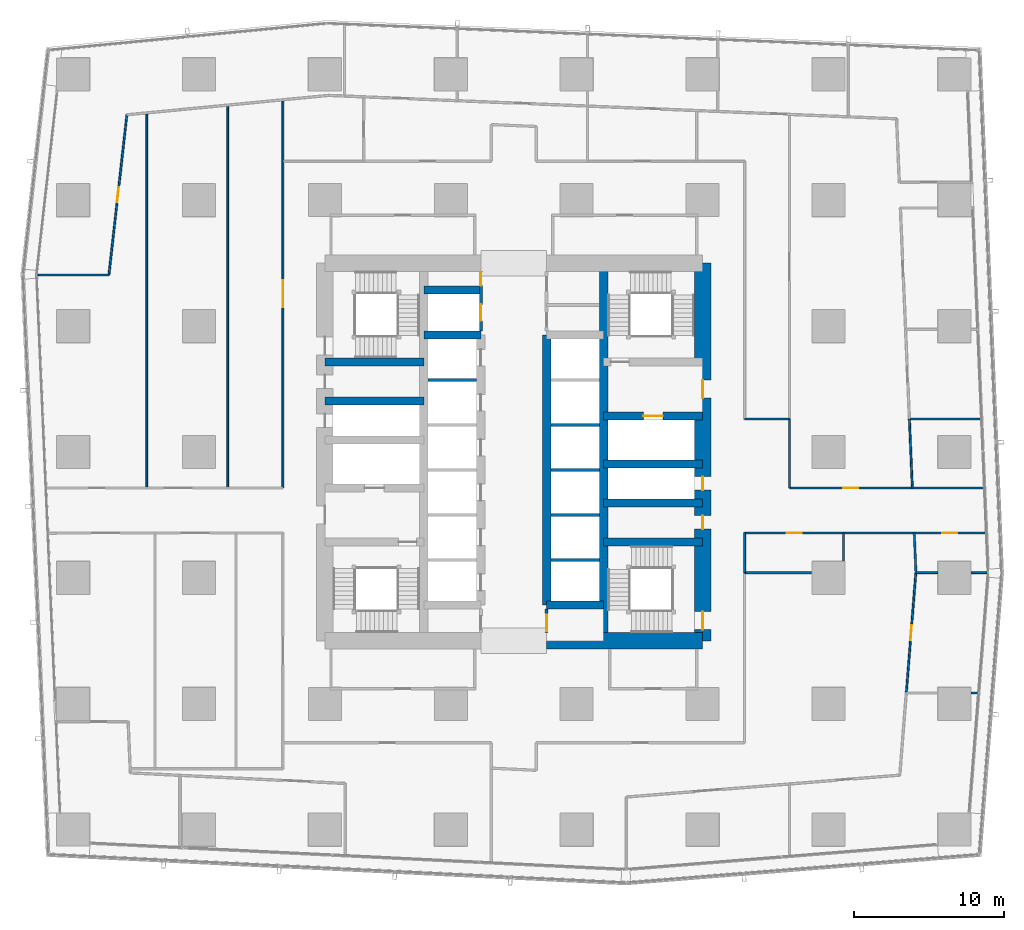
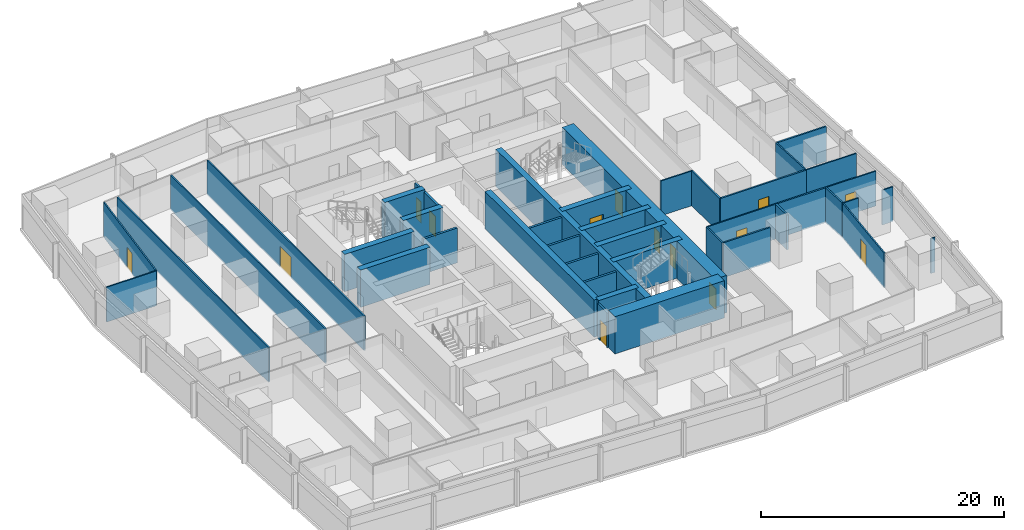
# One storey, part 33 of 44: 42 walls, 14 doors, 14 openings.
"""IFC4 building model written with IfcOpenShell, lengths in metres."""

from ifc_helpers import new_model, si_unit, direction, frame, frame_2d, origin, place, context, subcontext, project, spatial, rectangle, extrude, material, layer, layer_set, type_object, element, fill, save


model = new_model("IFC4")

# Units and contexts
model_context = context("Model", 3, precision=1e-05, world=origin(), true_north=direction((0.0, 1.0)))
body_context = subcontext(model_context, "Body", "Model", "MODEL_VIEW")
ifc_project = project(units=[si_unit("LENGTHUNIT", "METRE"), si_unit("AREAUNIT", "SQUARE_METRE"), si_unit("VOLUMEUNIT", "CUBIC_METRE"), si_unit("PLANEANGLEUNIT", "RADIAN"), si_unit("MASSUNIT", "GRAM", prefix="KILO")], contexts=[model_context])

# Site, building, storey
site_placement = place(None, origin())
site = spatial("IfcSite", under=ifc_project, at=site_placement, CompositionType="ELEMENT")
building_placement = place(site_placement, origin())
building = spatial("IfcBuilding", under=site, at=building_placement, Name="Rekha Terrace Tower", CompositionType="ELEMENT")
storey_placement = place(building_placement, frame((0.0, 0.0, 51.64990234375)))
storey = spatial("IfcBuildingStorey", under=building, at=storey_placement, Name="L12", CompositionType="ELEMENT", Elevation=51.64990234375)

# Walls
ifc_material_1 = material(Name="Concrete M70", Category="concrete")
ifc_layer_1 = layer(ifc_material_1, 0.550048828125)
ifc_layer_set_1 = layer_set([ifc_layer_1], Name="Concrete M70")
wall_type_1 = type_object("IfcWallType", Name="CI1 550 core internal shear wall", PredefinedType="SHEAR", material=ifc_layer_set_1)
wall_1_placement = place(storey_placement, frame((43.800048828125, 21.0, 0.0), z_axis=(0.0, 0.0, 1.0), x_axis=(0.0, 1.0, 0.0)))
element("IfcWall", 1, at=wall_1_placement, inside=storey, type_object=wall_type_1, Name="Core wall X438 L12", PredefinedType="SHEAR", context=body_context, shape_type="SweptSolid", body=[
    extrude(rectangle(XDim=25.199951171875, YDim=0.550048828125, at=frame_2d((12.60009765625, 0.0))), origin(), (0.0, 0.0, 1.0), 3.75),
])
wall_2_placement = place(storey_placement, frame((40.0, 23.39990234375, 0.0), z_axis=(0.0, 0.0, 1.0), x_axis=(0.0, 1.0, 0.0)))
element("IfcWall", 2, at=wall_2_placement, inside=storey, type_object=wall_type_1, Name="Core wall X400 L12", PredefinedType="SHEAR", context=body_context, shape_type="SweptSolid", body=[
    extrude(rectangle(XDim=18.0, YDim=0.550048828125, at=frame_2d((9.0, 0.0))), origin(), (0.0, 0.0, 1.0), 3.75),
])
for number, where, z_axis, x_axis, name in (
    (3, (31.800048828125, 41.39990234375, 0.0), (0.0, 0.0, 1.0), (1.0, 0.0, 0.0), "Core wall Y414W L12"),
    (4, (31.800048828125, 44.39990234375, 0.0), (0.0, 0.0, 1.0), (1.0, 0.0, 0.0), "Core wall Y444W L12"),
    (5, (40.0, 23.39990234375, 0.0), (0.0, 0.0, 1.0), (1.0, 0.0, 0.0), "Core wall Y234E L12"),
):
    element("IfcWall", number, at=place(storey_placement, frame(where, z_axis=z_axis, x_axis=x_axis)), inside=storey, type_object=wall_type_1, Name=name, PredefinedType="SHEAR", context=body_context, shape_type="SweptSolid", body=[
        extrude(rectangle(XDim=3.800048828125, YDim=0.550048828125, at=frame_2d((1.89990234375, 0.0))), origin(), (0.0, 0.0, 1.0), 3.75),
    ])
for number, where, z_axis, x_axis, name in (
    (6, (25.199951171875, 37.0, 0.0), (0.0, 0.0, 1.0), (1.0, 0.0, 0.0), "Core wall Y370W L12"),
    (7, (25.199951171875, 39.60009765625, 0.0), (0.0, 0.0, 1.0), (1.0, 0.0, 0.0), "Core wall Y396W L12"),
):
    element("IfcWall", number, at=place(storey_placement, frame(where, z_axis=z_axis, x_axis=x_axis)), inside=storey, type_object=wall_type_1, Name=name, PredefinedType="SHEAR", context=body_context, shape_type="SweptSolid", body=[
        extrude(rectangle(XDim=6.60009765625, YDim=0.550048828125, at=frame_2d((3.300048828125, 0.0))), origin(), (0.0, 0.0, 1.0), 3.75),
    ])
for number, where, z_axis, x_axis, name in (
    (8, (43.800048828125, 27.60009765625, 0.0), (0.0, 0.0, 1.0), (1.0, 0.0, 0.0), "Core wall Y276E L12"),
    (9, (43.800048828125, 30.199951171875, 0.0), (0.0, 0.0, 1.0), (1.0, 0.0, 0.0), "Core wall Y302E L12"),
    (10, (43.800048828125, 32.800048828125, 0.0), (0.0, 0.0, 1.0), (1.0, 0.0, 0.0), "Core wall Y328E L12"),
):
    element("IfcWall", number, at=place(storey_placement, frame(where, z_axis=z_axis, x_axis=x_axis)), inside=storey, type_object=wall_type_1, Name=name, PredefinedType="SHEAR", context=body_context, shape_type="SweptSolid", body=[
        extrude(rectangle(XDim=6.599853515625, YDim=0.550048828125, at=frame_2d((3.2998046875, 0.0))), origin(), (0.0, 0.0, 1.0), 3.75),
    ])

# Wall, opening, door
wall_3_placement = place(storey_placement, frame((43.800048828125, 36.0, 0.0), z_axis=(0.0, 0.0, 1.0), x_axis=(1.0, 0.0, 0.0)))
wall_3 = element("IfcWall", 11, at=wall_3_placement, inside=storey, type_object=wall_type_1, Name="Core wall Y360E L12", PredefinedType="SHEAR", context=body_context, shape_type="SweptSolid", body=[
    extrude(rectangle(XDim=6.599853515625, YDim=0.550048828125, at=frame_2d((3.2998046875, 0.0))), origin(), (0.0, 0.0, 1.0), 3.75),
])
opening_1_placement = place(wall_3_placement, frame((2.64990234375, 0.0, 0.0)))
opening_1 = element("IfcOpeningElement", 12, at=opening_1_placement, cuts=wall_3, Name="Opening LD2", PredefinedType="OPENING", context=body_context, shape_type="SweptSolid", body=[
    extrude(rectangle(XDim=1.300048828125, YDim=2.10009765625, at=frame_2d((0.64990234375, 1.050048828125))), frame((0.0, 0.284912109375, 0.0), z_axis=(0.0, -1.0, 0.0), x_axis=(1.0, 0.0, 0.0)), (0.0, 0.0, 1.0), 0.570068359375),
])
ifc_material_2 = material(Name="Stainless steel sliding landing door", Category="steel")
door_type_1 = type_object("IfcDoorType", Name="LD2 1300x2100 fire lift landing door", OperationType="SLIDING_TO_LEFT", PredefinedType="USERDEFINED", material=ifc_material_2)
door_1_placement = place(opening_1_placement, origin())
door_1 = element("IfcDoor", 13, at=door_1_placement, inside=storey, type_object=door_type_1, Name="Lift FL2 landing door L12", ObjectType="LIFT LANDING DOOR", OperationType="SLIDING_TO_LEFT", OverallHeight=2.10009765625, OverallWidth=1.300048828125, PredefinedType="USERDEFINED", context=body_context, shape_type="SweptSolid", body=[
    extrude(rectangle(XDim=1.300048828125, YDim=2.10009765625, at=frame_2d((0.64990234375, 1.050048828125))), frame((0.0, 0.02490234375, 0.0), z_axis=(0.0, -1.0, 0.0), x_axis=(1.0, 0.0, 0.0)), (0.0, 0.0, 1.0), 0.050048828125),
])
fill(opening_1, door_1)

# Wall
ifc_layer_2 = layer(ifc_material_1, 1.10009765625)
ifc_layer_set_2 = layer_set([ifc_layer_2], Name="Concrete M70")
wall_type_2 = type_object("IfcWallType", Name="SW1 1100 core outer shear wall", PredefinedType="SHEAR", material=ifc_layer_set_2)
wall_4_placement = place(storey_placement, frame((40.0, 21.0, 0.0), z_axis=(0.0, 0.0, 1.0), x_axis=(1.0, 0.0, 0.0)))
element("IfcWall", 14, at=wall_4_placement, inside=storey, type_object=wall_type_2, Name="Core wall S2 L12", PredefinedType="SHEAR", context=body_context, shape_type="SweptSolid", body=[
    extrude(rectangle(XDim=10.39990234375, YDim=1.10009765625, at=frame_2d((5.199951171875, 0.0))), origin(), (0.0, 0.0, 1.0), 3.75),
])

# Wall, openings, doors
wall_5_placement = place(storey_placement, frame((50.39990234375, 21.0, 0.0), z_axis=(0.0, 0.0, 1.0), x_axis=(0.0, 1.0, 0.0)))
wall_5 = element("IfcWall", 15, at=wall_5_placement, inside=storey, type_object=wall_type_2, Name="Core wall E L12", PredefinedType="SHEAR", context=body_context, shape_type="SweptSolid", body=[
    extrude(rectangle(XDim=25.199951171875, YDim=1.10009765625, at=frame_2d((12.60009765625, 0.0))), origin(), (0.0, 0.0, 1.0), 3.75),
])
opening_2_placement = place(wall_5_placement, frame((16.199951171875, 0.0, 0.0)))
opening_2 = element("IfcOpeningElement", 16, at=opening_2_placement, cuts=wall_5, Name="Opening D2", PredefinedType="OPENING", context=body_context, shape_type="SweptSolid", body=[
    extrude(rectangle(XDim=1.199951171875, YDim=2.10009765625, at=frame_2d((0.60009765625, 1.050048828125))), frame((0.0, 0.56005859375, 0.0), z_axis=(0.0, -1.0, 0.0), x_axis=(1.0, 0.0, 0.0)), (0.0, 0.0, 1.0), 1.1201171875),
])
opening_3_placement = place(wall_5_placement, frame((10.050048828125, 0.0, 0.0)))
opening_3 = element("IfcOpeningElement", 17, at=opening_3_placement, cuts=wall_5, Name="Opening D5", PredefinedType="OPENING", context=body_context, shape_type="SweptSolid", body=[
    extrude(rectangle(XDim=0.89990234375, YDim=2.10009765625, at=frame_2d((0.449951171875, 1.050048828125))), frame((0.0, 0.56005859375, 0.0), z_axis=(0.0, -1.0, 0.0), x_axis=(1.0, 0.0, 0.0)), (0.0, 0.0, 1.0), 1.1201171875),
])
opening_4_placement = place(wall_5_placement, frame((7.449951171875, 0.0, 0.0)))
opening_4 = element("IfcOpeningElement", 18, at=opening_4_placement, cuts=wall_5, Name="Opening D5", PredefinedType="OPENING", context=body_context, shape_type="SweptSolid", body=[
    extrude(rectangle(XDim=0.89990234375, YDim=2.10009765625, at=frame_2d((0.449951171875, 1.050048828125))), frame((0.0, 0.56005859375, 0.0), z_axis=(0.0, -1.0, 0.0), x_axis=(1.0, 0.0, 0.0)), (0.0, 0.0, 1.0), 1.1201171875),
])
opening_5_placement = place(wall_5_placement, frame((0.75, 0.0, 0.0)))
opening_5 = element("IfcOpeningElement", 19, at=opening_5_placement, cuts=wall_5, Name="Opening D1", PredefinedType="OPENING", context=body_context, shape_type="SweptSolid", body=[
    extrude(rectangle(XDim=1.199951171875, YDim=2.10009765625, at=frame_2d((0.60009765625, 1.050048828125))), frame((0.0, 0.56005859375, 0.0), z_axis=(0.0, -1.0, 0.0), x_axis=(1.0, 0.0, 0.0)), (0.0, 0.0, 1.0), 1.1201171875),
])
ifc_material_3 = material(Name="Steel fire door", Category="steel")
door_type_2 = type_object("IfcDoorType", Name="D1 1200x2100 stair fire door", OperationType="SINGLE_SWING_RIGHT", PredefinedType="DOOR", material=ifc_material_3)
door_2_placement = place(opening_5_placement, origin())
door_2 = element("IfcDoor", 20, at=door_2_placement, inside=storey, type_object=door_type_2, Name="Stair ST3 door L12", OperationType="SINGLE_SWING_RIGHT", OverallHeight=2.10009765625, OverallWidth=1.199951171875, PredefinedType="DOOR", context=body_context, shape_type="SweptSolid", body=[
    extrude(rectangle(XDim=1.199951171875, YDim=2.10009765625, at=frame_2d((0.60009765625, 1.050048828125))), frame((0.0, 0.02490234375, 0.0), z_axis=(0.0, -1.0, 0.0), x_axis=(1.0, 0.0, 0.0)), (0.0, 0.0, 1.0), 0.050048828125),
])
fill(opening_5, door_2)
door_type_3 = type_object("IfcDoorType", Name="D2 1200x2100 firefighting lobby door", OperationType="SINGLE_SWING_LEFT", PredefinedType="DOOR", material=ifc_material_3)
door_3_placement = place(opening_2_placement, origin())
door_3 = element("IfcDoor", 21, at=door_3_placement, inside=storey, type_object=door_type_3, Name="Door flb2 L12", OperationType="SINGLE_SWING_LEFT", OverallHeight=2.10009765625, OverallWidth=1.199951171875, PredefinedType="DOOR", context=body_context, shape_type="SweptSolid", body=[
    extrude(rectangle(XDim=1.199951171875, YDim=2.10009765625, at=frame_2d((0.60009765625, 1.050048828125))), frame((0.0, 0.02490234375, 0.0), z_axis=(0.0, -1.0, 0.0), x_axis=(1.0, 0.0, 0.0)), (0.0, 0.0, 1.0), 0.050048828125),
])
fill(opening_2, door_3)
door_type_4 = type_object("IfcDoorType", Name="D5 900x2100 riser access door", OperationType="SINGLE_SWING_LEFT", PredefinedType="DOOR", material=ifc_material_3)
door_4_placement = place(opening_3_placement, origin())
door_4 = element("IfcDoor", 22, at=door_4_placement, inside=storey, type_object=door_type_4, Name="Door rs2 L12", OperationType="SINGLE_SWING_LEFT", OverallHeight=2.10009765625, OverallWidth=0.89990234375, PredefinedType="DOOR", context=body_context, shape_type="SweptSolid", body=[
    extrude(rectangle(XDim=0.89990234375, YDim=2.10009765625, at=frame_2d((0.449951171875, 1.050048828125))), frame((0.0, 0.02490234375, 0.0), z_axis=(0.0, -1.0, 0.0), x_axis=(1.0, 0.0, 0.0)), (0.0, 0.0, 1.0), 0.050048828125),
])
fill(opening_3, door_4)
door_5_placement = place(opening_4_placement, origin())
door_5 = element("IfcDoor", 23, at=door_5_placement, inside=storey, type_object=door_type_4, Name="Door ele L12", OperationType="SINGLE_SWING_LEFT", OverallHeight=2.10009765625, OverallWidth=0.89990234375, PredefinedType="DOOR", context=body_context, shape_type="SweptSolid", body=[
    extrude(rectangle(XDim=0.89990234375, YDim=2.10009765625, at=frame_2d((0.449951171875, 1.050048828125))), frame((0.0, 0.02490234375, 0.0), z_axis=(0.0, -1.0, 0.0), x_axis=(1.0, 0.0, 0.0)), (0.0, 0.0, 1.0), 0.050048828125),
])
fill(opening_4, door_5)

# Walls
ifc_material_4 = material(Name="Concrete block masonry, 1 hour", Category="masonry")
ifc_layer_3 = layer(ifc_material_4, 0.14990234375)
ifc_layer_set_3 = layer_set([ifc_layer_3], Name="Concrete block masonry, 1 hour")
wall_type_3 = type_object("IfcWallType", Name="WP2 150 tenancy partition", PredefinedType="PARTITIONING", material=ifc_layer_set_3)
wall_6_placement = place(storey_placement, frame((53.199951171875, 25.552001953125, 0.0), z_axis=(0.0, 0.0, 1.0), x_axis=(1.0, 0.0, 0.0)))
element("IfcWall", 24, at=wall_6_placement, inside=storey, type_object=wall_type_3, Name="Partition L12-O1", PredefinedType="PARTITIONING", context=body_context, shape_type="SweptSolid", body=[
    extrude(rectangle(XDim=4.47998046875, YDim=0.14990234375, at=frame_2d((2.239990234375, 0.0))), origin(), (0.0, 0.0, 1.0), 3.5),
])
wall_7_placement = place(storey_placement, frame((59.800048828125, 26.320068359375, 0.0), z_axis=(0.0, 0.0, 1.0), x_axis=(0.0, 1.0, 0.0)))
element("IfcWall", 25, at=wall_7_placement, inside=storey, type_object=wall_type_3, Name="Partition L12-O1", PredefinedType="PARTITIONING", context=body_context, shape_type="SweptSolid", body=[
    extrude(rectangle(XDim=1.8798828125, YDim=0.14990234375, at=frame_2d((0.93994140625, 0.0))), origin(), (0.0, 0.0, 1.0), 3.5),
])
wall_8_placement = place(storey_placement, frame((59.800048828125, 28.199951171875, 0.0), z_axis=(0.0, 0.0, 1.0), x_axis=(1.0, 0.0, 0.0)))
element("IfcWall", 26, at=wall_8_placement, inside=storey, type_object=wall_type_3, Name="Partition L12-O1", PredefinedType="PARTITIONING", context=body_context, shape_type="SweptSolid", body=[
    extrude(rectangle(XDim=4.718994140625, YDim=0.14990234375, at=frame_2d((2.359375, 0.0))), origin(), (0.0, 0.0, 1.0), 3.5),
])
wall_9_placement = place(storey_placement, frame((64.51904296875, 28.199951171875, 0.0), z_axis=(0.0, 0.0, 1.0), x_axis=(0.042430609407, -0.999099416167, 0.0)))
element("IfcWall", 27, at=wall_9_placement, inside=storey, type_object=wall_type_3, Name="Partition L12-O1", PredefinedType="PARTITIONING", context=body_context, shape_type="SweptSolid", body=[
    extrude(rectangle(XDim=2.58935546875, YDim=0.14990234375, at=frame_2d((1.294677734375, 0.0))), origin(), (0.0, 0.0, 1.0), 3.5),
])
wall_10_placement = place(storey_placement, frame((64.257080078125, 35.799072265625, 0.0), z_axis=(0.0, 0.0, 1.0), x_axis=(1.0, 0.0, 0.0)))
element("IfcWall", 28, at=wall_10_placement, inside=storey, type_object=wall_type_3, Name="Partition L12-O3", PredefinedType="PARTITIONING", context=body_context, shape_type="SweptSolid", body=[
    extrude(rectangle(XDim=4.661865234375, YDim=0.14990234375, at=frame_2d((2.3310546875, 0.0))), origin(), (0.0, 0.0, 1.0), 3.5),
])

# Wall, opening, door
wall_11_placement = place(storey_placement, frame((64.39111328125, 31.199951171875, 0.0), z_axis=(0.0, 0.0, 1.0), x_axis=(-1.0, 0.0, 0.0)))
wall_11 = element("IfcWall", 29, at=wall_11_placement, inside=storey, type_object=wall_type_3, Name="Partition L12-O3", PredefinedType="PARTITIONING", context=body_context, shape_type="SweptSolid", body=[
    extrude(rectangle(XDim=8.191162109375, YDim=0.14990234375, at=frame_2d((4.095703125, 0.0))), origin(), (0.0, 0.0, 1.0), 3.5),
])
opening_6_placement = place(wall_11_placement, frame((3.595947265625, 0.0, 0.0)))
opening_6 = element("IfcOpeningElement", 30, at=opening_6_placement, cuts=wall_11, Name="Opening D9", PredefinedType="OPENING", context=body_context, shape_type="SweptSolid", body=[
    extrude(rectangle(XDim=1.0, YDim=2.10009765625, at=frame_2d((0.5, 1.050048828125))), frame((0.0, 0.0849609375, 0.0), z_axis=(0.0, -1.0, 0.0), x_axis=(1.0, 0.0, 0.0)), (0.0, 0.0, 1.0), 0.169921875),
])
ifc_material_5 = material(Name="Timber fire door", Category="wood")
door_type_5 = type_object("IfcDoorType", Name="D9 1000x2100 office door", OperationType="SINGLE_SWING_LEFT", PredefinedType="DOOR", material=ifc_material_5)
door_6_placement = place(opening_6_placement, origin())
door_6 = element("IfcDoor", 31, at=door_6_placement, inside=storey, type_object=door_type_5, Name="Door open-plan office L12", OperationType="SINGLE_SWING_LEFT", OverallHeight=2.10009765625, OverallWidth=1.0, PredefinedType="DOOR", context=body_context, shape_type="SweptSolid", body=[
    extrude(rectangle(XDim=1.0, YDim=2.10009765625, at=frame_2d((0.5, 1.050048828125))), frame((0.0, 0.02490234375, 0.0), z_axis=(0.0, -1.0, 0.0), x_axis=(1.0, 0.0, 0.0)), (0.0, 0.0, 1.0), 0.050048828125),
])
fill(opening_6, door_6)

# Walls
wall_12_placement = place(storey_placement, frame((56.199951171875, 31.199951171875, 0.0), z_axis=(0.0, 0.0, 1.0), x_axis=(0.0, 1.0, 0.0)))
element("IfcWall", 32, at=wall_12_placement, inside=storey, type_object=wall_type_3, Name="Partition L12-O3", PredefinedType="PARTITIONING", context=body_context, shape_type="SweptSolid", body=[
    extrude(rectangle(XDim=4.60009765625, YDim=0.14990234375, at=frame_2d((2.300048828125, 0.0))), origin(), (0.0, 0.0, 1.0), 3.5),
])
ifc_material_6 = material(Name="Two layers of fire-rated gypsum board each side on steel studs, acoustic quilt, 1 hour", Category="steel")
ifc_layer_4 = layer(ifc_material_6, 0.125)
ifc_layer_set_4 = layer_set([ifc_layer_4], Name="Two layers of fire-rated gypsum board each side on steel studs, acoustic quilt, 1 hour")
wall_type_4 = type_object("IfcWallType", Name="WP3 125 office partition", PredefinedType="PARTITIONING", material=ifc_layer_set_4)
wall_13_placement = place(storey_placement, frame((68.320068359375, 17.52294921875, 0.0), z_axis=(0.0, 0.0, 1.0), x_axis=(1.0, 0.0, 0.0)))
element("IfcWall", 33, at=wall_13_placement, inside=storey, type_object=wall_type_4, Name="Partition L12-03", PredefinedType="PARTITIONING", context=body_context, shape_type="SweptSolid", body=[
    extrude(rectangle(XDim=0.40283203125, YDim=0.125, at=frame_2d((0.201416015625, 0.0))), origin(), (0.0, 0.0, 1.0), 3.5),
])

# Wall, opening, door
wall_14_placement = place(storey_placement, frame((63.993896484375, 17.5849609375, 0.0), z_axis=(0.0, 0.0, 1.0), x_axis=(0.07897654499, 0.996876474465, 0.0)))
wall_14 = element("IfcWall", 34, at=wall_14_placement, inside=storey, type_object=wall_type_4, Name="Partition L12-04", PredefinedType="PARTITIONING", context=body_context, shape_type="SweptSolid", body=[
    extrude(rectangle(XDim=7.990966796875, YDim=0.125, at=frame_2d((3.99560546875, 0.0))), origin(), (0.0, 0.0, 1.0), 3.5),
])
opening_7_placement = place(wall_14_placement, frame((3.462890625, 0.0, 0.0)))
opening_7 = element("IfcOpeningElement", 35, at=opening_7_placement, cuts=wall_14, Name="Opening D9", PredefinedType="OPENING", context=body_context, shape_type="SweptSolid", body=[
    extrude(rectangle(XDim=1.0, YDim=2.10009765625, at=frame_2d((0.5, 1.050048828125))), frame((0.0, 0.072509765625, 0.0), z_axis=(0.0, -1.0, 0.0), x_axis=(1.0, 0.0, 0.0)), (0.0, 0.0, 1.0), 0.14501953125),
])
door_7_placement = place(opening_7_placement, origin())
door_7 = element("IfcDoor", 36, at=door_7_placement, inside=storey, type_object=door_type_5, Name="Door office L12", OperationType="SINGLE_SWING_LEFT", OverallHeight=2.10009765625, OverallWidth=1.0, PredefinedType="DOOR", context=body_context, shape_type="SweptSolid", body=[
    extrude(rectangle(XDim=1.0, YDim=2.10009765625, at=frame_2d((0.5, 1.050048828125))), frame((0.0, 0.02490234375, 0.0), z_axis=(0.0, -1.0, 0.0), x_axis=(1.0, 0.0, 0.0)), (0.0, 0.0, 1.0), 0.050048828125),
])
fill(opening_7, door_7)

# Walls
wall_15_placement = place(storey_placement, frame((64.625, 25.551025390625, 0.0), z_axis=(0.0, 0.0, 1.0), x_axis=(1.0, 0.0, 0.0)))
element("IfcWall", 37, at=wall_15_placement, inside=storey, type_object=wall_type_4, Name="Partition L12-04", PredefinedType="PARTITIONING", context=body_context, shape_type="SweptSolid", body=[
    extrude(rectangle(XDim=1.455078125, YDim=0.125, at=frame_2d((0.7275390625, 0.0))), origin(), (0.0, 0.0, 1.0), 3.5),
])
wall_16_placement = place(storey_placement, frame((68.320068359375, 25.551025390625, 0.0), z_axis=(0.0, 0.0, 1.0), x_axis=(1.0, 0.0, 0.0)))
element("IfcWall", 38, at=wall_16_placement, inside=storey, type_object=wall_type_4, Name="Partition L12-04", PredefinedType="PARTITIONING", context=body_context, shape_type="SweptSolid", body=[
    extrude(rectangle(XDim=1.036865234375, YDim=0.125, at=frame_2d((0.5185546875, 0.0))), origin(), (0.0, 0.0, 1.0), 3.5),
])

# Wall, opening, door
wall_17_placement = place(storey_placement, frame((64.51904296875, 28.199951171875, 0.0), z_axis=(0.0, 0.0, 1.0), x_axis=(1.0, 0.0, 0.0)))
wall_17 = element("IfcWall", 39, at=wall_17_placement, inside=storey, type_object=wall_type_4, Name="Partition L12-05", PredefinedType="PARTITIONING", context=body_context, shape_type="SweptSolid", body=[
    extrude(rectangle(XDim=4.7548828125, YDim=0.125, at=frame_2d((2.37744140625, 0.0))), origin(), (0.0, 0.0, 1.0), 3.5),
])
opening_8_placement = place(wall_17_placement, frame((1.862060546875, 0.0, 0.0)))
opening_8 = element("IfcOpeningElement", 40, at=opening_8_placement, cuts=wall_17, Name="Opening D9", PredefinedType="OPENING", context=body_context, shape_type="SweptSolid", body=[
    extrude(rectangle(XDim=1.0, YDim=2.10009765625, at=frame_2d((0.5, 1.050048828125))), frame((0.0, 0.072509765625, 0.0), z_axis=(0.0, -1.0, 0.0), x_axis=(1.0, 0.0, 0.0)), (0.0, 0.0, 1.0), 0.14501953125),
])
door_8_placement = place(opening_8_placement, origin())
door_8 = element("IfcDoor", 41, at=door_8_placement, inside=storey, type_object=door_type_5, Name="Door office L12", OperationType="SINGLE_SWING_LEFT", OverallHeight=2.10009765625, OverallWidth=1.0, PredefinedType="DOOR", context=body_context, shape_type="SweptSolid", body=[
    extrude(rectangle(XDim=1.0, YDim=2.10009765625, at=frame_2d((0.5, 1.050048828125))), frame((0.0, 0.02490234375, 0.0), z_axis=(0.0, -1.0, 0.0), x_axis=(1.0, 0.0, 0.0)), (0.0, 0.0, 1.0), 0.050048828125),
])
fill(opening_8, door_8)

wall_18_placement = place(storey_placement, frame((53.199951171875, 28.199951171875, 0.0), z_axis=(0.0, 0.0, 1.0), x_axis=(1.0, 0.0, 0.0)))
wall_18 = element("IfcWall", 42, at=wall_18_placement, inside=storey, type_object=wall_type_4, Name="Partition L12-06", PredefinedType="PARTITIONING", context=body_context, shape_type="SweptSolid", body=[
    extrude(rectangle(XDim=6.60009765625, YDim=0.125, at=frame_2d((3.300048828125, 0.0))), origin(), (0.0, 0.0, 1.0), 3.5),
])
opening_9_placement = place(wall_18_placement, frame((2.800048828125, 0.0, 0.0)))
opening_9 = element("IfcOpeningElement", 43, at=opening_9_placement, cuts=wall_18, Name="Opening D9", PredefinedType="OPENING", context=body_context, shape_type="SweptSolid", body=[
    extrude(rectangle(XDim=1.0, YDim=2.10009765625, at=frame_2d((0.5, 1.050048828125))), frame((0.0, 0.072509765625, 0.0), z_axis=(0.0, -1.0, 0.0), x_axis=(1.0, 0.0, 0.0)), (0.0, 0.0, 1.0), 0.14501953125),
])
door_9_placement = place(opening_9_placement, origin())
door_9 = element("IfcDoor", 44, at=door_9_placement, inside=storey, type_object=door_type_5, Name="Door reception L12", OperationType="SINGLE_SWING_LEFT", OverallHeight=2.10009765625, OverallWidth=1.0, PredefinedType="DOOR", context=body_context, shape_type="SweptSolid", body=[
    extrude(rectangle(XDim=1.0, YDim=2.10009765625, at=frame_2d((0.5, 1.050048828125))), frame((0.0, 0.02490234375, 0.0), z_axis=(0.0, -1.0, 0.0), x_axis=(1.0, 0.0, 0.0)), (0.0, 0.0, 1.0), 0.050048828125),
])
fill(opening_9, door_9)

# Walls
wall_19_placement = place(storey_placement, frame((53.199951171875, 25.552001953125, 0.0), z_axis=(0.0, 0.0, 1.0), x_axis=(0.0, 1.0, 0.0)))
element("IfcWall", 45, at=wall_19_placement, inside=storey, type_object=wall_type_4, Name="Partition L12-06", PredefinedType="PARTITIONING", context=body_context, shape_type="SweptSolid", body=[
    extrude(rectangle(XDim=2.64794921875, YDim=0.125, at=frame_2d((1.323974609375, 0.0))), origin(), (0.0, 0.0, 1.0), 3.5),
])
wall_20_placement = place(storey_placement, frame((69.14501953125, 31.199951171875, 0.0), z_axis=(0.0, 0.0, 1.0), x_axis=(-1.0, 0.0, 0.0)))
element("IfcWall", 46, at=wall_20_placement, inside=storey, type_object=wall_type_4, Name="Partition L12-07", PredefinedType="PARTITIONING", context=body_context, shape_type="SweptSolid", body=[
    extrude(rectangle(XDim=4.75390625, YDim=0.125, at=frame_2d((2.376953125, 0.0))), origin(), (0.0, 0.0, 1.0), 3.5),
])
wall_21_placement = place(storey_placement, frame((64.39111328125, 31.199951171875, 0.0), z_axis=(0.0, 0.0, 1.0), x_axis=(-0.042790618726, 0.999084062003, 0.0)))
element("IfcWall", 47, at=wall_21_placement, inside=storey, type_object=wall_type_4, Name="Partition L12-07", PredefinedType="PARTITIONING", context=body_context, shape_type="SweptSolid", body=[
    extrude(rectangle(XDim=4.604248046875, YDim=0.125, at=frame_2d((2.30224609375, 0.0))), origin(), (0.0, 0.0, 1.0), 3.5),
])
wall_22_placement = place(storey_placement, frame((56.199951171875, 35.800048828125, 0.0), z_axis=(0.0, 0.0, 1.0), x_axis=(-1.0, 0.0, 0.0)))
element("IfcWall", 48, at=wall_22_placement, inside=storey, type_object=wall_type_4, Name="Partition L12-13", PredefinedType="PARTITIONING", context=body_context, shape_type="SweptSolid", body=[
    extrude(rectangle(XDim=3.0, YDim=0.125, at=frame_2d((1.5, 0.0))), origin(), (0.0, 0.0, 1.0), 3.5),
])

# Wall, opening, door
wall_23_placement = place(storey_placement, frame((11.989990234375, 56.095947265625, 0.0), z_axis=(0.0, 0.0, 1.0), x_axis=(-0.111612849984, -0.993751765643, 0.0)))
wall_23 = element("IfcWall", 49, at=wall_23_placement, inside=storey, type_object=wall_type_4, Name="Partition L12-17", PredefinedType="PARTITIONING", context=body_context, shape_type="SweptSolid", body=[
    extrude(rectangle(XDim=10.7509765625, YDim=0.125, at=frame_2d((5.37548828125, 0.0))), origin(), (0.0, 0.0, 1.0), 3.5),
])
opening_10_placement = place(wall_23_placement, frame((4.8759765625, 0.0, 0.0)))
opening_10 = element("IfcOpeningElement", 50, at=opening_10_placement, cuts=wall_23, Name="Opening D9", PredefinedType="OPENING", context=body_context, shape_type="SweptSolid", body=[
    extrude(rectangle(XDim=1.0, YDim=2.10009765625, at=frame_2d((0.5, 1.050048828125))), frame((0.0, 0.072509765625, 0.0), z_axis=(0.0, -1.0, 0.0), x_axis=(1.0, 0.0, 0.0)), (0.0, 0.0, 1.0), 0.14501953125),
])
door_10_placement = place(opening_10_placement, origin())
door_10 = element("IfcDoor", 51, at=door_10_placement, inside=storey, type_object=door_type_5, Name="Door director's office L12", OperationType="SINGLE_SWING_LEFT", OverallHeight=2.10009765625, OverallWidth=1.0, PredefinedType="DOOR", context=body_context, shape_type="SweptSolid", body=[
    extrude(rectangle(XDim=1.0, YDim=2.10009765625, at=frame_2d((0.5, 1.050048828125))), frame((0.0, 0.02490234375, 0.0), z_axis=(0.0, -1.0, 0.0), x_axis=(1.0, 0.0, 0.0)), (0.0, 0.0, 1.0), 0.050048828125),
])
fill(opening_10, door_10)

# Walls
wall_24_placement = place(storey_placement, frame((10.7900390625, 45.412109375, 0.0), z_axis=(0.0, 0.0, 1.0), x_axis=(-1.0, 0.0, 0.0)))
element("IfcWall", 52, at=wall_24_placement, inside=storey, type_object=wall_type_4, Name="Partition L12-17", PredefinedType="PARTITIONING", context=body_context, shape_type="SweptSolid", body=[
    extrude(rectangle(XDim=4.74609375, YDim=0.125, at=frame_2d((2.373046875, 0.0))), origin(), (0.0, 0.0, 1.0), 3.5),
])
wall_25_placement = place(storey_placement, frame((18.717041015625, 56.679931640625, 0.0), z_axis=(0.0, 0.0, 1.0), x_axis=(0.0, -1.0, 0.0)))
element("IfcWall", 53, at=wall_25_placement, inside=storey, type_object=wall_type_4, Name="Partition L12-18", PredefinedType="PARTITIONING", context=body_context, shape_type="SweptSolid", body=[
    extrude(rectangle(XDim=25.47998046875, YDim=0.125, at=frame_2d((12.739990234375, 0.0))), origin(), (0.0, 0.0, 1.0), 3.5),
])
wall_26_placement = place(storey_placement, frame((13.31689453125, 31.199951171875, 0.0), z_axis=(0.0, 0.0, 1.0), x_axis=(0.0, 1.0, 0.0)))
element("IfcWall", 54, at=wall_26_placement, inside=storey, type_object=wall_type_4, Name="Partition L12-18", PredefinedType="PARTITIONING", context=body_context, shape_type="SweptSolid", body=[
    extrude(rectangle(XDim=24.9609375, YDim=0.125, at=frame_2d((12.48046875, 0.0))), origin(), (0.0, 0.0, 1.0), 3.5),
])

# Wall, opening, door
wall_27_placement = place(storey_placement, frame((22.39990234375, 57.033935546875, 0.0), z_axis=(0.0, 0.0, 1.0), x_axis=(0.0, -1.0, 0.0)))
wall_27 = element("IfcWall", 55, at=wall_27_placement, inside=storey, type_object=wall_type_4, Name="Partition L12-19", PredefinedType="PARTITIONING", context=body_context, shape_type="SweptSolid", body=[
    extrude(rectangle(XDim=25.833984375, YDim=0.125, at=frame_2d((12.9169921875, 0.0))), origin(), (0.0, 0.0, 1.0), 3.5),
])
opening_11_placement = place(wall_27_placement, frame((11.986083984375, 0.0, 0.0)))
opening_11 = element("IfcOpeningElement", 56, at=opening_11_placement, cuts=wall_27, Name="Opening D8", PredefinedType="OPENING", context=body_context, shape_type="SweptSolid", body=[
    extrude(rectangle(XDim=1.800048828125, YDim=2.10009765625, at=frame_2d((0.89990234375, 1.050048828125))), frame((0.0, 0.072509765625, 0.0), z_axis=(0.0, -1.0, 0.0), x_axis=(1.0, 0.0, 0.0)), (0.0, 0.0, 1.0), 0.14501953125),
])
door_type_6 = type_object("IfcDoorType", Name="D8 1800x2100 double leaf door", OperationType="DOUBLE_DOOR_SINGLE_SWING", PredefinedType="DOOR", material=ifc_material_5)
door_11_placement = place(opening_11_placement, origin())
door_11 = element("IfcDoor", 57, at=door_11_placement, inside=storey, type_object=door_type_6, Name="Door focus room L12", OperationType="DOUBLE_DOOR_SINGLE_SWING", OverallHeight=2.10009765625, OverallWidth=1.800048828125, PredefinedType="DOOR", context=body_context, shape_type="SweptSolid", body=[
    extrude(rectangle(XDim=1.800048828125, YDim=2.10009765625, at=frame_2d((0.89990234375, 1.050048828125))), frame((0.0, 0.02490234375, 0.0), z_axis=(0.0, -1.0, 0.0), x_axis=(1.0, 0.0, 0.0)), (0.0, 0.0, 1.0), 0.050048828125),
])
fill(opening_11, door_11)

# Walls
ifc_material_7 = material(Name="Solid concrete block masonry, 2 hour", Category="masonry")
ifc_layer_5 = layer(ifc_material_7, 0.199951171875)
ifc_layer_set_5 = layer_set([ifc_layer_5], Name="Solid concrete block masonry, 2 hour")
wall_type_5 = type_object("IfcWallType", Name="WS1 200 stair and shaft enclosure", PredefinedType="PARTITIONING", material=ifc_layer_set_5)
for number, where, z_axis, x_axis, name in (
    (58, (32.074951171875, 38.39990234375, 0.0), (0.0, 0.0, 1.0), (1.0, 0.0, 0.0), "Lift shaft divider L12"),
    (59, (40.27490234375, 26.39990234375, 0.0), (0.0, 0.0, 1.0), (1.0, 0.0, 0.0), "Lift shaft divider L12"),
    (60, (40.27490234375, 29.39990234375, 0.0), (0.0, 0.0, 1.0), (1.0, 0.0, 0.0), "Lift shaft divider L12"),
    (61, (40.27490234375, 32.39990234375, 0.0), (0.0, 0.0, 1.0), (1.0, 0.0, 0.0), "Lift shaft divider L12"),
    (62, (40.27490234375, 35.39990234375, 0.0), (0.0, 0.0, 1.0), (1.0, 0.0, 0.0), "Lift shaft divider L12"),
):
    element("IfcWall", number, at=place(storey_placement, frame(where, z_axis=z_axis, x_axis=x_axis)), inside=storey, type_object=wall_type_5, Name=name, PredefinedType="PARTITIONING", context=body_context, shape_type="SweptSolid", body=[
        extrude(rectangle(XDim=3.25, YDim=0.199951171875, at=frame_2d((1.625, 0.0))), origin(), (0.0, 0.0, 1.0), 3.5),
    ])

# Wall, opening, door
wall_28_placement = place(storey_placement, frame((40.0, 21.550048828125, 0.0), z_axis=(0.0, 0.0, 1.0), x_axis=(0.0, 1.0, 0.0)))
wall_28 = element("IfcWall", 63, at=wall_28_placement, inside=storey, type_object=wall_type_5, Name="Core partition wca L12", PredefinedType="PARTITIONING", context=body_context, shape_type="SweptSolid", body=[
    extrude(rectangle(XDim=1.574951171875, YDim=0.199951171875, at=frame_2d((0.78759765625, 0.0))), origin(), (0.0, 0.0, 1.0), 3.5),
])
opening_12_placement = place(wall_28_placement, frame((0.10009765625, 0.0, 0.0)))
opening_12 = element("IfcOpeningElement", 64, at=opening_12_placement, cuts=wall_28, Name="Opening D4", PredefinedType="OPENING", context=body_context, shape_type="SweptSolid", body=[
    extrude(rectangle(XDim=1.10009765625, YDim=2.10009765625, at=frame_2d((0.550048828125, 1.050048828125))), frame((0.0, 0.10986328125, 0.0), z_axis=(0.0, -1.0, 0.0), x_axis=(1.0, 0.0, 0.0)), (0.0, 0.0, 1.0), 0.219970703125),
])
ifc_material_8 = material(Name="Laminated timber fire door", Category="wood")
door_type_7 = type_object("IfcDoorType", Name="D4 1100x2100 accessible WC door", OperationType="SLIDING_TO_LEFT", PredefinedType="DOOR", material=ifc_material_8)
door_12_placement = place(opening_12_placement, origin())
door_12 = element("IfcDoor", 65, at=door_12_placement, inside=storey, type_object=door_type_7, Name="Door wca L12", OperationType="SLIDING_TO_LEFT", OverallHeight=2.10009765625, OverallWidth=1.10009765625, PredefinedType="DOOR", context=body_context, shape_type="SweptSolid", body=[
    extrude(rectangle(XDim=1.10009765625, YDim=2.10009765625, at=frame_2d((0.550048828125, 1.050048828125))), frame((0.0, 0.02490234375, 0.0), z_axis=(0.0, -1.0, 0.0), x_axis=(1.0, 0.0, 0.0)), (0.0, 0.0, 1.0), 0.050048828125),
])
fill(opening_12, door_12)

# Wall, openings, doors
wall_29_placement = place(storey_placement, frame((35.60009765625, 41.675048828125, 0.0), z_axis=(0.0, 0.0, 1.0), x_axis=(0.0, 1.0, 0.0)))
wall_29 = element("IfcWall", 66, at=wall_29_placement, inside=storey, type_object=wall_type_5, Name="Core partition jansv L12", PredefinedType="PARTITIONING", context=body_context, shape_type="SweptSolid", body=[
    extrude(rectangle(XDim=3.974853515625, YDim=0.199951171875, at=frame_2d((1.9873046875, 0.0))), origin(), (0.0, 0.0, 1.0), 3.5),
])
opening_13_placement = place(wall_29_placement, frame((3.02490234375, 0.0, 0.0)))
opening_13 = element("IfcOpeningElement", 67, at=opening_13_placement, cuts=wall_29, Name="Opening D5", PredefinedType="OPENING", context=body_context, shape_type="SweptSolid", body=[
    extrude(rectangle(XDim=0.89990234375, YDim=2.10009765625, at=frame_2d((0.449951171875, 1.050048828125))), frame((0.0, 0.10986328125, 0.0), z_axis=(0.0, -1.0, 0.0), x_axis=(1.0, 0.0, 0.0)), (0.0, 0.0, 1.0), 0.219970703125),
])
opening_14_placement = place(wall_29_placement, frame((0.675048828125, 0.0, 0.0)))
opening_14 = element("IfcOpeningElement", 68, at=opening_14_placement, cuts=wall_29, Name="Opening LD1", PredefinedType="OPENING", context=body_context, shape_type="SweptSolid", body=[
    extrude(rectangle(XDim=1.10009765625, YDim=2.10009765625, at=frame_2d((0.550048828125, 1.050048828125))), frame((0.0, 0.10986328125, 0.0), z_axis=(0.0, -1.0, 0.0), x_axis=(1.0, 0.0, 0.0)), (0.0, 0.0, 1.0), 0.219970703125),
])
door_13_placement = place(opening_13_placement, origin())
door_13 = element("IfcDoor", 69, at=door_13_placement, inside=storey, type_object=door_type_4, Name="Door janitor room L12", OperationType="SINGLE_SWING_LEFT", OverallHeight=2.10009765625, OverallWidth=0.89990234375, PredefinedType="DOOR", context=body_context, shape_type="SweptSolid", body=[
    extrude(rectangle(XDim=0.89990234375, YDim=2.10009765625, at=frame_2d((0.449951171875, 1.050048828125))), frame((0.0, 0.02490234375, 0.0), z_axis=(0.0, -1.0, 0.0), x_axis=(1.0, 0.0, 0.0)), (0.0, 0.0, 1.0), 0.050048828125),
])
fill(opening_13, door_13)
door_type_8 = type_object("IfcDoorType", Name="LD1 1100x2100 lift landing door", OperationType="SLIDING_TO_LEFT", PredefinedType="USERDEFINED", material=ifc_material_2)
door_14_placement = place(opening_14_placement, origin())
door_14 = element("IfcDoor", 70, at=door_14_placement, inside=storey, type_object=door_type_8, Name="Lift SV1 landing door L12", ObjectType="LIFT LANDING DOOR", OperationType="SLIDING_TO_LEFT", OverallHeight=2.10009765625, OverallWidth=1.10009765625, PredefinedType="USERDEFINED", context=body_context, shape_type="SweptSolid", body=[
    extrude(rectangle(XDim=1.10009765625, YDim=2.10009765625, at=frame_2d((0.550048828125, 1.050048828125))), frame((0.0, 0.02490234375, 0.0), z_axis=(0.0, -1.0, 0.0), x_axis=(1.0, 0.0, 0.0)), (0.0, 0.0, 1.0), 0.050048828125),
])
fill(opening_14, door_14)

save(model, "model.ifc")
